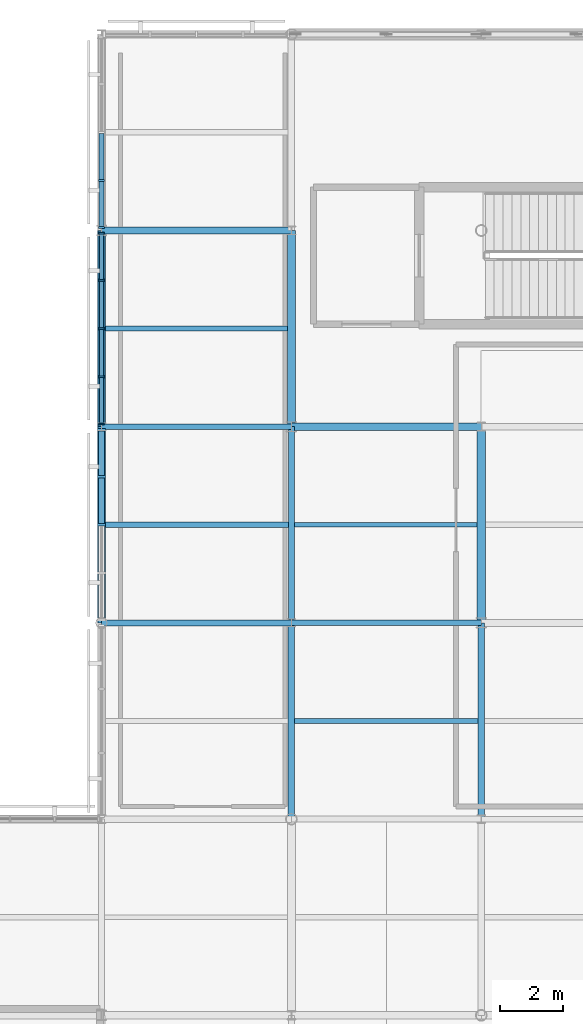
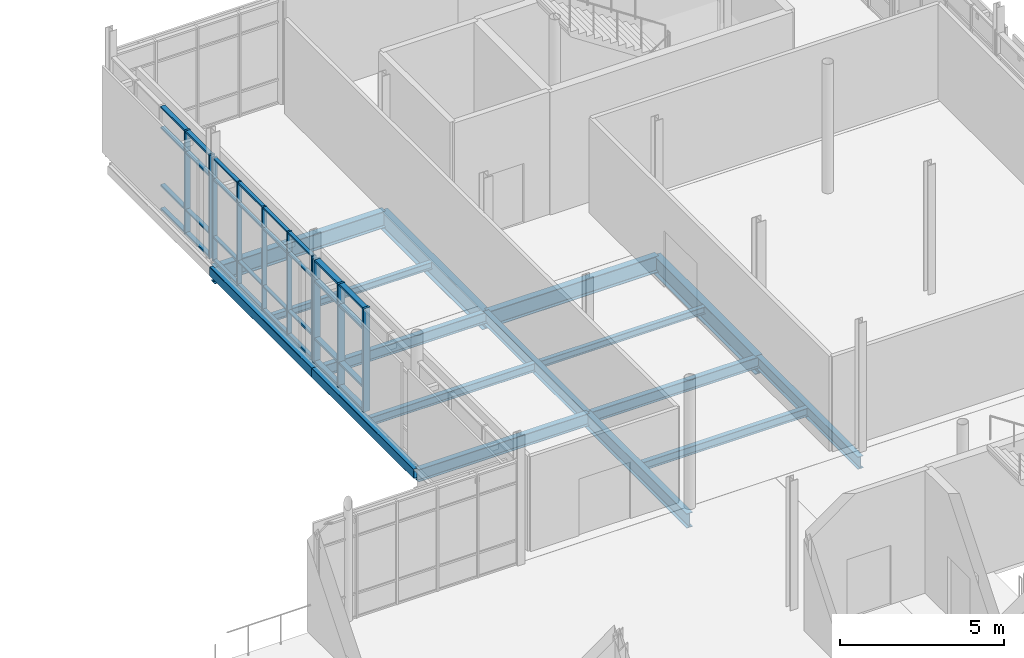
# One storey, part 36 of 84: 42 members, 16 beams, 3 elements without a shape of their own.
"""IFC4 building model written with IfcOpenShell, lengths in metres."""

from ifc_helpers import new_model, si_unit, direction, frame, origin, origin_2d, place, context, subcontext, project, spatial, rectangle, hollow_rectangle, i_section, extrude, material, layer, layer_set, material_profile, profile_set, type_object, element, aggregate, save


model = new_model("IFC4")

# Units and contexts
model_context = context("Model", 3, precision=1e-05, world=origin(), true_north=direction((0.0, 1.0)))
body_context = subcontext(model_context, "Body", "Model", "MODEL_VIEW")
ifc_project = project(units=[si_unit("LENGTHUNIT", "METRE"), si_unit("AREAUNIT", "SQUARE_METRE"), si_unit("VOLUMEUNIT", "CUBIC_METRE"), si_unit("PLANEANGLEUNIT", "RADIAN"), si_unit("MASSUNIT", "GRAM", prefix="KILO")], contexts=[model_context])

# Site, building, storey
site_placement = place(None, origin())
site = spatial("IfcSite", under=ifc_project, at=site_placement, CompositionType="ELEMENT")
building_placement = place(site_placement, origin())
building = spatial("IfcBuilding", under=site, at=building_placement, Name="Mirzam Square Science Centre", CompositionType="ELEMENT")
storey_placement = place(building_placement, frame((0.0, 0.0, 10.800048828125)))
storey = spatial("IfcBuildingStorey", under=building, at=storey_placement, Name="L02", CompositionType="ELEMENT", Elevation=10.800048828125)

# Beams
ifc_material_1 = material(Name="Steel S355", Category="steel")
ifc_material_profile_1 = material_profile(ifc_material_1, i_section(OverallWidth=0.1787109375, OverallDepth=0.409423828125, WebThickness=0.0087890625, FlangeThickness=0.014404296875, FilletRadius=0.01025390625, at=origin_2d()), Name="406x178x67UB")
ifc_profile_set_1 = profile_set([ifc_material_profile_1], Name="Steel S355")
beam_type_1 = type_object("IfcBeamType", Name="BM-UB406", PredefinedType="BEAM", material=ifc_profile_set_1)
for number, where, z_axis, x_axis, name in (
    (1, (120.0, 93.0, -0.454833984375), (1.0, 0.0, 0.0), (0.0, 1.0, 0.0), "L02 girder X21-16"),
    (2, (114.0, 99.199951171875, -0.454833984375), (1.0, 0.0, 0.0), (0.0, 1.0, 0.0), "L02 girder X20-17"),
):
    element("IfcBeam", number, at=place(storey_placement, frame(where, z_axis=z_axis, x_axis=x_axis)), inside=storey, type_object=beam_type_1, Name=name, PredefinedType="BEAM", context=body_context, shape_type="SweptSolid", body=[
        extrude(i_section(OverallWidth=0.1787109375, OverallDepth=0.409423828125, WebThickness=0.0087890625, FlangeThickness=0.014404296875, FilletRadius=0.01025390625, at=origin_2d()), origin(), (0.0, 0.0, 1.0), 6.0),
    ])
ifc_material_profile_2 = material_profile(ifc_material_1, i_section(OverallWidth=0.19140625, OverallDepth=0.4599609375, WebThickness=0.010009765625, FlangeThickness=0.01611328125, FilletRadius=0.01025390625, at=origin_2d()), Name="457x191x82UB")
ifc_profile_set_2 = profile_set([ifc_material_profile_2], Name="Steel S355")
beam_type_2 = type_object("IfcBeamType", Name="BM-UB457", PredefinedType="BEAM", material=ifc_profile_set_2)
beam_1_placement = place(storey_placement, frame((114.0, 93.0, -0.47998046875), z_axis=(1.0, 0.0, 0.0), x_axis=(0.0, 1.0, 0.0)))
element("IfcBeam", 3, at=beam_1_placement, inside=storey, type_object=beam_type_2, Name="L02 girder X20-16", PredefinedType="BEAM", context=body_context, shape_type="SweptSolid", body=[
    extrude(i_section(OverallWidth=0.19140625, OverallDepth=0.4599609375, WebThickness=0.010009765625, FlangeThickness=0.01611328125, FilletRadius=0.01025390625, at=origin_2d()), origin(), (0.0, 0.0, 1.0), 6.0),
])
for number, where, z_axis, x_axis, name in (
    (4, (120.0, 93.0, -0.47998046875), (0.0, 1.0, 0.0), (-1.0, 0.0, 0.0), "L02 girder Y21-16"),
    (5, (126.0, 86.800048828125, -0.47998046875), (0.0, 1.0, 0.0), (-1.0, 0.0, 0.0), "L02 girder Y22-15"),
):
    element("IfcBeam", number, at=place(storey_placement, frame(where, z_axis=z_axis, x_axis=x_axis)), inside=storey, type_object=beam_type_2, Name=name, PredefinedType="BEAM", context=body_context, shape_type="SweptSolid", body=[
        extrude(i_section(OverallWidth=0.19140625, OverallDepth=0.4599609375, WebThickness=0.010009765625, FlangeThickness=0.01611328125, FilletRadius=0.01025390625, at=origin_2d()), origin(), (0.0, 0.0, 1.0), 6.199951171875),
    ])
ifc_material_profile_3 = material_profile(ifc_material_1, i_section(OverallWidth=0.2099609375, OverallDepth=0.53662109375, WebThickness=0.0107421875, FlangeThickness=0.017333984375, FilletRadius=0.0126953125, at=origin_2d()), Name="533x210x101UB")
ifc_profile_set_3 = profile_set([ifc_material_profile_3], Name="Steel S355")
beam_type_3 = type_object("IfcBeamType", Name="BM-UB533", PredefinedType="BEAM", material=ifc_profile_set_3)
beam_2_placement = place(storey_placement, frame((120.0, 86.800048828125, -0.518310546875), z_axis=(0.0, 1.0, 0.0), x_axis=(-1.0, 0.0, 0.0)))
element("IfcBeam", 6, at=beam_2_placement, inside=storey, type_object=beam_type_3, Name="L02 girder Y21-15", PredefinedType="BEAM", context=body_context, shape_type="SweptSolid", body=[
    extrude(i_section(OverallWidth=0.2099609375, OverallDepth=0.53662109375, WebThickness=0.0107421875, FlangeThickness=0.017333984375, FilletRadius=0.0126953125, at=origin_2d()), origin(), (0.0, 0.0, 1.0), 6.199951171875),
])
ifc_material_profile_4 = material_profile(ifc_material_1, i_section(OverallWidth=0.22900390625, OverallDepth=0.6123046875, WebThickness=0.011962890625, FlangeThickness=0.01953125, FilletRadius=0.0126953125, at=origin_2d()), Name="610x229x125UB")
ifc_profile_set_4 = profile_set([ifc_material_profile_4], Name="Steel S355")
beam_type_4 = type_object("IfcBeamType", Name="BM-UB610", PredefinedType="BEAM", material=ifc_profile_set_4)
for number, where, z_axis, x_axis, name in (
    (7, (120.0, 99.199951171875, -0.55615234375), (1.0, 0.0, 0.0), (0.0, 1.0, 0.0), "L02 girder X21-17"),
    (8, (114.0, 105.39990234375, -0.55615234375), (1.0, 0.0, 0.0), (0.0, 1.0, 0.0), "L02 girder X20-18"),
):
    element("IfcBeam", number, at=place(storey_placement, frame(where, z_axis=z_axis, x_axis=x_axis)), inside=storey, type_object=beam_type_4, Name=name, PredefinedType="BEAM", context=body_context, shape_type="SweptSolid", body=[
        extrude(i_section(OverallWidth=0.22900390625, OverallDepth=0.6123046875, WebThickness=0.011962890625, FlangeThickness=0.01953125, FilletRadius=0.0126953125, at=origin_2d()), origin(), (0.0, 0.0, 1.0), 6.0),
    ])
ifc_material_profile_5 = material_profile(ifc_material_1, i_section(OverallWidth=0.25439453125, OverallDepth=0.6875, WebThickness=0.01318359375, FlangeThickness=0.02099609375, FilletRadius=0.01513671875, at=origin_2d()), Name="686x254x152UB")
ifc_profile_set_5 = profile_set([ifc_material_profile_5], Name="Steel S355")
beam_type_5 = type_object("IfcBeamType", Name="BM-UB686", PredefinedType="BEAM", material=ifc_profile_set_5)
for number, where, z_axis, x_axis, name in (
    (9, (120.0, 99.199951171875, -0.59375), (0.0, 1.0, 0.0), (-1.0, 0.0, 0.0), "L02 girder Y21-17"),
    (10, (126.0, 93.0, -0.59375), (0.0, 1.0, 0.0), (-1.0, 0.0, 0.0), "L02 girder Y22-16"),
):
    element("IfcBeam", number, at=place(storey_placement, frame(where, z_axis=z_axis, x_axis=x_axis)), inside=storey, type_object=beam_type_5, Name=name, PredefinedType="BEAM", context=body_context, shape_type="SweptSolid", body=[
        extrude(i_section(OverallWidth=0.25439453125, OverallDepth=0.6875, WebThickness=0.01318359375, FlangeThickness=0.02099609375, FilletRadius=0.01513671875, at=origin_2d()), origin(), (0.0, 0.0, 1.0), 6.199951171875),
    ])

# Curtain wall, members
ifc_material_2 = material(Name="Anodised Aluminium and Low-E Solar Glass", Category="aluminium")
ifc_layer_1 = layer(ifc_material_2, 0.159912109375)
ifc_layer_set_1 = layer_set([ifc_layer_1], Name="CW-COURT-B")
curtain_wall_type_1 = type_object("IfcCurtainWallType", Name="CW-COURT-B", PredefinedType="USERDEFINED", material=ifc_layer_set_1)
curtain_wall_1_placement = place(storey_placement, origin())
curtain_wall_1 = element("IfcCurtainWall", 11, at=curtain_wall_1_placement, inside=storey, type_object=curtain_wall_type_1, Name="L02 unitised curtain wall 119", ObjectType="UNITISED CURTAIN WALL", PredefinedType="USERDEFINED")
ifc_material_3 = material(Name="Anodised Architectural Aluminium 6063-T6", Category="aluminium")
ifc_material_profile_6 = material_profile(ifc_material_3, rectangle(XDim=0.06005859375, YDim=0.159912109375, at=origin_2d()), Name="ALU-MULL-160x60x4")
ifc_profile_set_6 = profile_set([ifc_material_profile_6], Name="Anodised Architectural Aluminium 6063-T6")
member_type_1 = type_object("IfcMemberType", Name="CWM-160", PredefinedType="MULLION", material=ifc_profile_set_6)
member_1_placement = place(storey_placement, frame((114.0, 105.31494140625, 0.0), z_axis=(0.0, 0.0, 1.0), x_axis=(0.0, -1.0, 0.0)))
member_1 = element("IfcMember", 12, at=member_1_placement, type_object=member_type_1, Name="CW-04 mullion 1", PredefinedType="MULLION", context=body_context, shape_type="SweptSolid", body=[
    extrude(rectangle(XDim=0.06005859375, YDim=0.159912109375, at=origin_2d()), origin(), (0.0, 0.0, 1.0), 3.83984375),
])
member_2_placement = place(storey_placement, frame((114.0, 103.822509765625, 0.0), z_axis=(0.0, 0.0, 1.0), x_axis=(0.0, -1.0, 0.0)))
member_2 = element("IfcMember", 13, at=member_2_placement, type_object=member_type_1, Name="CW-04 mullion 2", PredefinedType="MULLION", context=body_context, shape_type="SweptSolid", body=[
    extrude(rectangle(XDim=0.06005859375, YDim=0.159912109375, at=origin_2d()), origin(), (0.0, 0.0, 1.0), 3.83984375),
])
member_3_placement = place(storey_placement, frame((114.0, 102.300048828125, 0.0), z_axis=(0.0, 0.0, 1.0), x_axis=(0.0, -1.0, 0.0)))
member_3 = element("IfcMember", 14, at=member_3_placement, type_object=member_type_1, Name="CW-04 mullion 3", PredefinedType="MULLION", context=body_context, shape_type="SweptSolid", body=[
    extrude(rectangle(XDim=0.06005859375, YDim=0.159912109375, at=origin_2d()), origin(), (0.0, 0.0, 1.0), 3.83984375),
])
member_4_placement = place(storey_placement, frame((114.0, 100.777587890625, 0.0), z_axis=(0.0, 0.0, 1.0), x_axis=(0.0, -1.0, 0.0)))
member_4 = element("IfcMember", 15, at=member_4_placement, type_object=member_type_1, Name="CW-04 mullion 4", PredefinedType="MULLION", context=body_context, shape_type="SweptSolid", body=[
    extrude(rectangle(XDim=0.06005859375, YDim=0.159912109375, at=origin_2d()), origin(), (0.0, 0.0, 1.0), 3.83984375),
])
member_5_placement = place(storey_placement, frame((114.0, 99.284912109375, 0.0), z_axis=(0.0, 0.0, 1.0), x_axis=(0.0, -1.0, 0.0)))
member_5 = element("IfcMember", 16, at=member_5_placement, type_object=member_type_1, Name="CW-04 mullion 5", PredefinedType="MULLION", context=body_context, shape_type="SweptSolid", body=[
    extrude(rectangle(XDim=0.06005859375, YDim=0.159912109375, at=origin_2d()), origin(), (0.0, 0.0, 1.0), 3.83984375),
])

ifc_layer_2 = layer(ifc_material_2, 0.199951171875)
ifc_layer_set_2 = layer_set([ifc_layer_2], Name="CW-EAST-A")
curtain_wall_type_2 = type_object("IfcCurtainWallType", Name="CW-EAST-A", PredefinedType="USERDEFINED", material=ifc_layer_set_2)
curtain_wall_2_placement = place(storey_placement, origin())
curtain_wall_2 = element("IfcCurtainWall", 17, at=curtain_wall_2_placement, inside=storey, type_object=curtain_wall_type_2, Name="L02 unitised curtain wall 121", ObjectType="UNITISED CURTAIN WALL", PredefinedType="USERDEFINED")
ifc_material_profile_7 = material_profile(ifc_material_3, rectangle(XDim=0.06494140625, YDim=0.199951171875, at=origin_2d()), Name="ALU-MULL-200x65x5")
ifc_profile_set_7 = profile_set([ifc_material_profile_7], Name="Anodised Architectural Aluminium 6063-T6")
member_type_2 = type_object("IfcMemberType", Name="CWM-200", PredefinedType="MULLION", material=ifc_profile_set_7)
member_6_placement = place(storey_placement, frame((114.0, 106.9775390625, 0.0), z_axis=(0.0, 0.0, 1.0), x_axis=(0.0, -1.0, 0.0)))
member_6 = element("IfcMember", 18, at=member_6_placement, type_object=member_type_2, Name="CW-05 mullion 4", PredefinedType="MULLION", context=body_context, shape_type="SweptSolid", body=[
    extrude(rectangle(XDim=0.06494140625, YDim=0.199951171875, at=origin_2d()), origin(), (0.0, 0.0, 1.0), 3.83984375),
])
member_7_placement = place(storey_placement, frame((114.0, 105.487548828125, 0.0), z_axis=(0.0, 0.0, 1.0), x_axis=(0.0, -1.0, 0.0)))
member_7 = element("IfcMember", 19, at=member_7_placement, type_object=member_type_2, Name="CW-05 mullion 5", PredefinedType="MULLION", context=body_context, shape_type="SweptSolid", body=[
    extrude(rectangle(XDim=0.06494140625, YDim=0.199951171875, at=origin_2d()), origin(), (0.0, 0.0, 1.0), 3.83984375),
])

ifc_layer_3 = layer(ifc_material_2, 0.159912109375)
ifc_layer_set_3 = layer_set([ifc_layer_3], Name="CW-COURT-A")
curtain_wall_type_3 = type_object("IfcCurtainWallType", Name="CW-COURT-A", PredefinedType="USERDEFINED", material=ifc_layer_set_3)
curtain_wall_3_placement = place(storey_placement, origin())
curtain_wall_3 = element("IfcCurtainWall", 20, at=curtain_wall_3_placement, inside=storey, type_object=curtain_wall_type_3, Name="L02 unitised curtain wall 117", ObjectType="UNITISED CURTAIN WALL", PredefinedType="USERDEFINED")
ifc_material_profile_8 = material_profile(ifc_material_3, rectangle(XDim=0.074951171875, YDim=0.239990234375, at=origin_2d()), Name="ALU-MULL-240x75x5")
ifc_profile_set_8 = profile_set([ifc_material_profile_8], Name="Anodised Architectural Aluminium 6063-T6")
member_type_3 = type_object("IfcMemberType", Name="CWM-240", PredefinedType="MULLION", material=ifc_profile_set_8)
member_8_placement = place(storey_placement, frame((114.0, 99.107421875, 0.0), z_axis=(0.0, 0.0, 1.0), x_axis=(0.0, -1.0, 0.0)))
member_8 = element("IfcMember", 21, at=member_8_placement, type_object=member_type_3, Name="CW-03 mullion 1", PredefinedType="MULLION", context=body_context, shape_type="SweptSolid", body=[
    extrude(rectangle(XDim=0.074951171875, YDim=0.239990234375, at=origin_2d()), origin(), (0.0, 0.0, 1.0), 3.83984375),
])
member_9_placement = place(storey_placement, frame((114.0, 97.62255859375, 0.0), z_axis=(0.0, 0.0, 1.0), x_axis=(0.0, -1.0, 0.0)))
member_9 = element("IfcMember", 22, at=member_9_placement, type_object=member_type_3, Name="CW-03 mullion 2", PredefinedType="MULLION", context=body_context, shape_type="SweptSolid", body=[
    extrude(rectangle(XDim=0.074951171875, YDim=0.239990234375, at=origin_2d()), origin(), (0.0, 0.0, 1.0), 3.83984375),
])
member_10_placement = place(storey_placement, frame((114.0, 96.10009765625, 0.0), z_axis=(0.0, 0.0, 1.0), x_axis=(0.0, -1.0, 0.0)))
member_10 = element("IfcMember", 23, at=member_10_placement, type_object=member_type_3, Name="CW-03 mullion 3", PredefinedType="MULLION", context=body_context, shape_type="SweptSolid", body=[
    extrude(rectangle(XDim=0.074951171875, YDim=0.239990234375, at=origin_2d()), origin(), (0.0, 0.0, 1.0), 3.83984375),
])

# Member
ifc_material_profile_9 = material_profile(ifc_material_3, rectangle(XDim=0.1201171875, YDim=0.06005859375, at=origin_2d()), Name="ALU-TRAN-120x60x4")
ifc_profile_set_9 = profile_set([ifc_material_profile_9], Name="Anodised Architectural Aluminium 6063-T6")
member_type_4 = type_object("IfcMemberType", Name="CWT-120", PredefinedType="USERDEFINED", material=ifc_profile_set_9)
member_11_placement = place(storey_placement, frame((114.0, 105.284912109375, 0.030029296875), z_axis=(0.0, -1.0, 0.0), x_axis=(1.0, 0.0, 0.0)))
member_11 = element("IfcMember", 24, at=member_11_placement, type_object=member_type_4, Name="CW-04 transom 1.1", ObjectType="TRANSOM", PredefinedType="USERDEFINED", context=body_context, shape_type="SweptSolid", body=[
    extrude(rectangle(XDim=0.1201171875, YDim=0.06005859375, at=origin_2d()), origin(), (0.0, 0.0, 1.0), 1.432373046875),
])

member_12_placement = place(storey_placement, frame((114.0, 105.284912109375, 0.89990234375), z_axis=(0.0, -1.0, 0.0), x_axis=(1.0, 0.0, 0.0)))
member_12 = element("IfcMember", 25, at=member_12_placement, type_object=member_type_4, Name="CW-04 transom 1.2", ObjectType="TRANSOM", PredefinedType="USERDEFINED", context=body_context, shape_type="SweptSolid", body=[
    extrude(rectangle(XDim=0.1201171875, YDim=0.06005859375, at=origin_2d()), origin(), (0.0, 0.0, 1.0), 1.432373046875),
])

member_13_placement = place(storey_placement, frame((114.0, 105.284912109375, 3.0400390625), z_axis=(0.0, -1.0, 0.0), x_axis=(1.0, 0.0, 0.0)))
member_13 = element("IfcMember", 26, at=member_13_placement, type_object=member_type_4, Name="CW-04 transom 1.3", ObjectType="TRANSOM", PredefinedType="USERDEFINED", context=body_context, shape_type="SweptSolid", body=[
    extrude(rectangle(XDim=0.1201171875, YDim=0.06005859375, at=origin_2d()), origin(), (0.0, 0.0, 1.0), 1.432373046875),
])

member_14_placement = place(storey_placement, frame((114.0, 105.284912109375, 3.81005859375), z_axis=(0.0, -1.0, 0.0), x_axis=(1.0, 0.0, 0.0)))
member_14 = element("IfcMember", 27, at=member_14_placement, type_object=member_type_4, Name="CW-04 transom 1.4", ObjectType="TRANSOM", PredefinedType="USERDEFINED", context=body_context, shape_type="SweptSolid", body=[
    extrude(rectangle(XDim=0.1201171875, YDim=0.06005859375, at=origin_2d()), origin(), (0.0, 0.0, 1.0), 1.432373046875),
])

member_15_placement = place(storey_placement, frame((114.0, 103.79248046875, 0.030029296875), z_axis=(0.0, -1.0, 0.0), x_axis=(1.0, 0.0, 0.0)))
member_15 = element("IfcMember", 28, at=member_15_placement, type_object=member_type_4, Name="CW-04 transom 2.1", ObjectType="TRANSOM", PredefinedType="USERDEFINED", context=body_context, shape_type="SweptSolid", body=[
    extrude(rectangle(XDim=0.1201171875, YDim=0.06005859375, at=origin_2d()), origin(), (0.0, 0.0, 1.0), 1.46240234375),
])

member_16_placement = place(storey_placement, frame((114.0, 103.79248046875, 0.89990234375), z_axis=(0.0, -1.0, 0.0), x_axis=(1.0, 0.0, 0.0)))
member_16 = element("IfcMember", 29, at=member_16_placement, type_object=member_type_4, Name="CW-04 transom 2.2", ObjectType="TRANSOM", PredefinedType="USERDEFINED", context=body_context, shape_type="SweptSolid", body=[
    extrude(rectangle(XDim=0.1201171875, YDim=0.06005859375, at=origin_2d()), origin(), (0.0, 0.0, 1.0), 1.46240234375),
])

member_17_placement = place(storey_placement, frame((114.0, 103.79248046875, 3.0400390625), z_axis=(0.0, -1.0, 0.0), x_axis=(1.0, 0.0, 0.0)))
member_17 = element("IfcMember", 30, at=member_17_placement, type_object=member_type_4, Name="CW-04 transom 2.3", ObjectType="TRANSOM", PredefinedType="USERDEFINED", context=body_context, shape_type="SweptSolid", body=[
    extrude(rectangle(XDim=0.1201171875, YDim=0.06005859375, at=origin_2d()), origin(), (0.0, 0.0, 1.0), 1.46240234375),
])

member_18_placement = place(storey_placement, frame((114.0, 103.79248046875, 3.81005859375), z_axis=(0.0, -1.0, 0.0), x_axis=(1.0, 0.0, 0.0)))
member_18 = element("IfcMember", 31, at=member_18_placement, type_object=member_type_4, Name="CW-04 transom 2.4", ObjectType="TRANSOM", PredefinedType="USERDEFINED", context=body_context, shape_type="SweptSolid", body=[
    extrude(rectangle(XDim=0.1201171875, YDim=0.06005859375, at=origin_2d()), origin(), (0.0, 0.0, 1.0), 1.46240234375),
])

member_19_placement = place(storey_placement, frame((114.0, 102.27001953125, 0.030029296875), z_axis=(0.0, -1.0, 0.0), x_axis=(1.0, 0.0, 0.0)))
member_19 = element("IfcMember", 32, at=member_19_placement, type_object=member_type_4, Name="CW-04 transom 3.1", ObjectType="TRANSOM", PredefinedType="USERDEFINED", context=body_context, shape_type="SweptSolid", body=[
    extrude(rectangle(XDim=0.1201171875, YDim=0.06005859375, at=origin_2d()), origin(), (0.0, 0.0, 1.0), 1.46240234375),
])

member_20_placement = place(storey_placement, frame((114.0, 102.27001953125, 0.89990234375), z_axis=(0.0, -1.0, 0.0), x_axis=(1.0, 0.0, 0.0)))
member_20 = element("IfcMember", 33, at=member_20_placement, type_object=member_type_4, Name="CW-04 transom 3.2", ObjectType="TRANSOM", PredefinedType="USERDEFINED", context=body_context, shape_type="SweptSolid", body=[
    extrude(rectangle(XDim=0.1201171875, YDim=0.06005859375, at=origin_2d()), origin(), (0.0, 0.0, 1.0), 1.46240234375),
])

member_21_placement = place(storey_placement, frame((114.0, 102.27001953125, 3.0400390625), z_axis=(0.0, -1.0, 0.0), x_axis=(1.0, 0.0, 0.0)))
member_21 = element("IfcMember", 34, at=member_21_placement, type_object=member_type_4, Name="CW-04 transom 3.3", ObjectType="TRANSOM", PredefinedType="USERDEFINED", context=body_context, shape_type="SweptSolid", body=[
    extrude(rectangle(XDim=0.1201171875, YDim=0.06005859375, at=origin_2d()), origin(), (0.0, 0.0, 1.0), 1.46240234375),
])

member_22_placement = place(storey_placement, frame((114.0, 102.27001953125, 3.81005859375), z_axis=(0.0, -1.0, 0.0), x_axis=(1.0, 0.0, 0.0)))
member_22 = element("IfcMember", 35, at=member_22_placement, type_object=member_type_4, Name="CW-04 transom 3.4", ObjectType="TRANSOM", PredefinedType="USERDEFINED", context=body_context, shape_type="SweptSolid", body=[
    extrude(rectangle(XDim=0.1201171875, YDim=0.06005859375, at=origin_2d()), origin(), (0.0, 0.0, 1.0), 1.46240234375),
])

member_23_placement = place(storey_placement, frame((114.0, 100.74755859375, 0.030029296875), z_axis=(0.0, -1.0, 0.0), x_axis=(1.0, 0.0, 0.0)))
member_23 = element("IfcMember", 36, at=member_23_placement, type_object=member_type_4, Name="CW-04 transom 4.1", ObjectType="TRANSOM", PredefinedType="USERDEFINED", context=body_context, shape_type="SweptSolid", body=[
    extrude(rectangle(XDim=0.1201171875, YDim=0.06005859375, at=origin_2d()), origin(), (0.0, 0.0, 1.0), 1.4326171875),
])

member_24_placement = place(storey_placement, frame((114.0, 100.74755859375, 0.89990234375), z_axis=(0.0, -1.0, 0.0), x_axis=(1.0, 0.0, 0.0)))
member_24 = element("IfcMember", 37, at=member_24_placement, type_object=member_type_4, Name="CW-04 transom 4.2", ObjectType="TRANSOM", PredefinedType="USERDEFINED", context=body_context, shape_type="SweptSolid", body=[
    extrude(rectangle(XDim=0.1201171875, YDim=0.06005859375, at=origin_2d()), origin(), (0.0, 0.0, 1.0), 1.4326171875),
])

member_25_placement = place(storey_placement, frame((114.0, 100.74755859375, 3.0400390625), z_axis=(0.0, -1.0, 0.0), x_axis=(1.0, 0.0, 0.0)))
member_25 = element("IfcMember", 38, at=member_25_placement, type_object=member_type_4, Name="CW-04 transom 4.3", ObjectType="TRANSOM", PredefinedType="USERDEFINED", context=body_context, shape_type="SweptSolid", body=[
    extrude(rectangle(XDim=0.1201171875, YDim=0.06005859375, at=origin_2d()), origin(), (0.0, 0.0, 1.0), 1.4326171875),
])

member_26_placement = place(storey_placement, frame((114.0, 100.74755859375, 3.81005859375), z_axis=(0.0, -1.0, 0.0), x_axis=(1.0, 0.0, 0.0)))
member_26 = element("IfcMember", 39, at=member_26_placement, type_object=member_type_4, Name="CW-04 transom 4.4", ObjectType="TRANSOM", PredefinedType="USERDEFINED", context=body_context, shape_type="SweptSolid", body=[
    extrude(rectangle(XDim=0.1201171875, YDim=0.06005859375, at=origin_2d()), origin(), (0.0, 0.0, 1.0), 1.4326171875),
])

aggregate(curtain_wall_1, [member_1, member_2, member_3, member_4, member_5, member_11, member_12, member_13, member_14, member_15, member_16, member_17, member_18, member_19, member_20, member_21, member_22, member_23, member_24, member_25, member_26])

ifc_material_profile_10 = material_profile(ifc_material_3, rectangle(XDim=0.14990234375, YDim=0.06494140625, at=origin_2d()), Name="ALU-TRAN-150x65x4")
ifc_profile_set_10 = profile_set([ifc_material_profile_10], Name="Anodised Architectural Aluminium 6063-T6")
member_type_5 = type_object("IfcMemberType", Name="CWT-150", PredefinedType="USERDEFINED", material=ifc_profile_set_10)
member_27_placement = place(storey_placement, frame((114.0, 108.467529296875, 0.032470703125), z_axis=(0.0, -1.0, 0.0), x_axis=(1.0, 0.0, 0.0)))
member_27 = element("IfcMember", 40, at=member_27_placement, type_object=member_type_5, Name="CW-05 transom 3.1", ObjectType="TRANSOM", PredefinedType="USERDEFINED", context=body_context, shape_type="SweptSolid", body=[
    extrude(rectangle(XDim=0.14990234375, YDim=0.06494140625, at=origin_2d()), origin(), (0.0, 0.0, 1.0), 1.45751953125),
])

member_28_placement = place(storey_placement, frame((114.0, 108.467529296875, 0.89990234375), z_axis=(0.0, -1.0, 0.0), x_axis=(1.0, 0.0, 0.0)))
member_28 = element("IfcMember", 41, at=member_28_placement, type_object=member_type_5, Name="CW-05 transom 3.2", ObjectType="TRANSOM", PredefinedType="USERDEFINED", context=body_context, shape_type="SweptSolid", body=[
    extrude(rectangle(XDim=0.14990234375, YDim=0.06494140625, at=origin_2d()), origin(), (0.0, 0.0, 1.0), 1.45751953125),
])

member_29_placement = place(storey_placement, frame((114.0, 108.467529296875, 3.0400390625), z_axis=(0.0, -1.0, 0.0), x_axis=(1.0, 0.0, 0.0)))
member_29 = element("IfcMember", 42, at=member_29_placement, type_object=member_type_5, Name="CW-05 transom 3.3", ObjectType="TRANSOM", PredefinedType="USERDEFINED", context=body_context, shape_type="SweptSolid", body=[
    extrude(rectangle(XDim=0.14990234375, YDim=0.06494140625, at=origin_2d()), origin(), (0.0, 0.0, 1.0), 1.45751953125),
])

member_30_placement = place(storey_placement, frame((114.0, 108.467529296875, 3.807373046875), z_axis=(0.0, -1.0, 0.0), x_axis=(1.0, 0.0, 0.0)))
member_30 = element("IfcMember", 43, at=member_30_placement, type_object=member_type_5, Name="CW-05 transom 3.4", ObjectType="TRANSOM", PredefinedType="USERDEFINED", context=body_context, shape_type="SweptSolid", body=[
    extrude(rectangle(XDim=0.14990234375, YDim=0.06494140625, at=origin_2d()), origin(), (0.0, 0.0, 1.0), 1.45751953125),
])

member_31_placement = place(storey_placement, frame((114.0, 106.945068359375, 0.032470703125), z_axis=(0.0, -1.0, 0.0), x_axis=(1.0, 0.0, 0.0)))
member_31 = element("IfcMember", 44, at=member_31_placement, type_object=member_type_5, Name="CW-05 transom 4.1", ObjectType="TRANSOM", PredefinedType="USERDEFINED", context=body_context, shape_type="SweptSolid", body=[
    extrude(rectangle(XDim=0.14990234375, YDim=0.06494140625, at=origin_2d()), origin(), (0.0, 0.0, 1.0), 1.425048828125),
])

member_32_placement = place(storey_placement, frame((114.0, 106.945068359375, 0.89990234375), z_axis=(0.0, -1.0, 0.0), x_axis=(1.0, 0.0, 0.0)))
member_32 = element("IfcMember", 45, at=member_32_placement, type_object=member_type_5, Name="CW-05 transom 4.2", ObjectType="TRANSOM", PredefinedType="USERDEFINED", context=body_context, shape_type="SweptSolid", body=[
    extrude(rectangle(XDim=0.14990234375, YDim=0.06494140625, at=origin_2d()), origin(), (0.0, 0.0, 1.0), 1.425048828125),
])

member_33_placement = place(storey_placement, frame((114.0, 106.945068359375, 3.0400390625), z_axis=(0.0, -1.0, 0.0), x_axis=(1.0, 0.0, 0.0)))
member_33 = element("IfcMember", 46, at=member_33_placement, type_object=member_type_5, Name="CW-05 transom 4.3", ObjectType="TRANSOM", PredefinedType="USERDEFINED", context=body_context, shape_type="SweptSolid", body=[
    extrude(rectangle(XDim=0.14990234375, YDim=0.06494140625, at=origin_2d()), origin(), (0.0, 0.0, 1.0), 1.425048828125),
])

member_34_placement = place(storey_placement, frame((114.0, 106.945068359375, 3.807373046875), z_axis=(0.0, -1.0, 0.0), x_axis=(1.0, 0.0, 0.0)))
member_34 = element("IfcMember", 47, at=member_34_placement, type_object=member_type_5, Name="CW-05 transom 4.4", ObjectType="TRANSOM", PredefinedType="USERDEFINED", context=body_context, shape_type="SweptSolid", body=[
    extrude(rectangle(XDim=0.14990234375, YDim=0.06494140625, at=origin_2d()), origin(), (0.0, 0.0, 1.0), 1.425048828125),
])

aggregate(curtain_wall_2, [member_6, member_7, member_27, member_28, member_29, member_30, member_31, member_32, member_33, member_34])

ifc_material_profile_11 = material_profile(ifc_material_3, rectangle(XDim=0.179931640625, YDim=0.074951171875, at=origin_2d()), Name="ALU-TRAN-180x75x5")
ifc_profile_set_11 = profile_set([ifc_material_profile_11], Name="Anodised Architectural Aluminium 6063-T6")
member_type_6 = type_object("IfcMemberType", Name="CWT-180", PredefinedType="USERDEFINED", material=ifc_profile_set_11)
member_35_placement = place(storey_placement, frame((114.0, 99.070068359375, 0.037353515625), z_axis=(0.0, -1.0, 0.0), x_axis=(1.0, 0.0, 0.0)))
member_35 = element("IfcMember", 48, at=member_35_placement, type_object=member_type_6, Name="CW-03 transom 1.1", ObjectType="TRANSOM", PredefinedType="USERDEFINED", context=body_context, shape_type="SweptSolid", body=[
    extrude(rectangle(XDim=0.179931640625, YDim=0.074951171875, at=origin_2d()), origin(), (0.0, 0.0, 1.0), 1.41015625),
])

member_36_placement = place(storey_placement, frame((114.0, 99.070068359375, 0.89990234375), z_axis=(0.0, -1.0, 0.0), x_axis=(1.0, 0.0, 0.0)))
member_36 = element("IfcMember", 49, at=member_36_placement, type_object=member_type_6, Name="CW-03 transom 1.2", ObjectType="TRANSOM", PredefinedType="USERDEFINED", context=body_context, shape_type="SweptSolid", body=[
    extrude(rectangle(XDim=0.179931640625, YDim=0.074951171875, at=origin_2d()), origin(), (0.0, 0.0, 1.0), 1.41015625),
])

member_37_placement = place(storey_placement, frame((114.0, 99.070068359375, 3.0400390625), z_axis=(0.0, -1.0, 0.0), x_axis=(1.0, 0.0, 0.0)))
member_37 = element("IfcMember", 50, at=member_37_placement, type_object=member_type_6, Name="CW-03 transom 1.3", ObjectType="TRANSOM", PredefinedType="USERDEFINED", context=body_context, shape_type="SweptSolid", body=[
    extrude(rectangle(XDim=0.179931640625, YDim=0.074951171875, at=origin_2d()), origin(), (0.0, 0.0, 1.0), 1.41015625),
])

member_38_placement = place(storey_placement, frame((114.0, 99.070068359375, 3.802490234375), z_axis=(0.0, -1.0, 0.0), x_axis=(1.0, 0.0, 0.0)))
member_38 = element("IfcMember", 51, at=member_38_placement, type_object=member_type_6, Name="CW-03 transom 1.4", ObjectType="TRANSOM", PredefinedType="USERDEFINED", context=body_context, shape_type="SweptSolid", body=[
    extrude(rectangle(XDim=0.179931640625, YDim=0.074951171875, at=origin_2d()), origin(), (0.0, 0.0, 1.0), 1.41015625),
])

member_39_placement = place(storey_placement, frame((114.0, 97.5849609375, 0.037353515625), z_axis=(0.0, -1.0, 0.0), x_axis=(1.0, 0.0, 0.0)))
member_39 = element("IfcMember", 52, at=member_39_placement, type_object=member_type_6, Name="CW-03 transom 2.1", ObjectType="TRANSOM", PredefinedType="USERDEFINED", context=body_context, shape_type="SweptSolid", body=[
    extrude(rectangle(XDim=0.179931640625, YDim=0.074951171875, at=origin_2d()), origin(), (0.0, 0.0, 1.0), 1.447509765625),
])

member_40_placement = place(storey_placement, frame((114.0, 97.5849609375, 0.89990234375), z_axis=(0.0, -1.0, 0.0), x_axis=(1.0, 0.0, 0.0)))
member_40 = element("IfcMember", 53, at=member_40_placement, type_object=member_type_6, Name="CW-03 transom 2.2", ObjectType="TRANSOM", PredefinedType="USERDEFINED", context=body_context, shape_type="SweptSolid", body=[
    extrude(rectangle(XDim=0.179931640625, YDim=0.074951171875, at=origin_2d()), origin(), (0.0, 0.0, 1.0), 1.447509765625),
])

member_41_placement = place(storey_placement, frame((114.0, 97.5849609375, 3.0400390625), z_axis=(0.0, -1.0, 0.0), x_axis=(1.0, 0.0, 0.0)))
member_41 = element("IfcMember", 54, at=member_41_placement, type_object=member_type_6, Name="CW-03 transom 2.3", ObjectType="TRANSOM", PredefinedType="USERDEFINED", context=body_context, shape_type="SweptSolid", body=[
    extrude(rectangle(XDim=0.179931640625, YDim=0.074951171875, at=origin_2d()), origin(), (0.0, 0.0, 1.0), 1.447509765625),
])

member_42_placement = place(storey_placement, frame((114.0, 97.5849609375, 3.802490234375), z_axis=(0.0, -1.0, 0.0), x_axis=(1.0, 0.0, 0.0)))
member_42 = element("IfcMember", 55, at=member_42_placement, type_object=member_type_6, Name="CW-03 transom 2.4", ObjectType="TRANSOM", PredefinedType="USERDEFINED", context=body_context, shape_type="SweptSolid", body=[
    extrude(rectangle(XDim=0.179931640625, YDim=0.074951171875, at=origin_2d()), origin(), (0.0, 0.0, 1.0), 1.447509765625),
])

aggregate(curtain_wall_3, [member_8, member_9, member_10, member_35, member_36, member_37, member_38, member_39, member_40, member_41, member_42])

# Beams
ifc_material_profile_12 = material_profile(ifc_material_1, i_section(OverallWidth=0.146484375, OverallDepth=0.256103515625, WebThickness=0.00634765625, FlangeThickness=0.010986328125, FilletRadius=0.007568359375, at=origin_2d()), Name="254x146x37UB")
ifc_profile_set_12 = profile_set([ifc_material_profile_12], Name="Steel S355")
beam_type_6 = type_object("IfcBeamType", Name="JS-UB254", PredefinedType="JOIST", material=ifc_profile_set_12)
beam_3_placement = place(storey_placement, frame((114.125, 102.300048828125, -0.3779296875), z_axis=(1.0, 0.0, 0.0), x_axis=(0.0, 1.0, 0.0)))
element("IfcBeam", 56, at=beam_3_placement, inside=storey, type_object=beam_type_6, Name="L02 composite joist 20-17", PredefinedType="JOIST", context=body_context, shape_type="SweptSolid", body=[
    extrude(i_section(OverallWidth=0.146484375, OverallDepth=0.256103515625, WebThickness=0.00634765625, FlangeThickness=0.010986328125, FilletRadius=0.007568359375, at=origin_2d()), origin(), (0.0, 0.0, 1.0), 5.747802734375),
])
beam_4_placement = place(storey_placement, frame((120.095703125, 96.10009765625, -0.3779296875), z_axis=(1.0, 0.0, 0.0), x_axis=(0.0, 1.0, 0.0)))
element("IfcBeam", 57, at=beam_4_placement, inside=storey, type_object=beam_type_6, Name="L02 composite joist 21-16", PredefinedType="JOIST", context=body_context, shape_type="SweptSolid", body=[
    extrude(i_section(OverallWidth=0.146484375, OverallDepth=0.256103515625, WebThickness=0.00634765625, FlangeThickness=0.010986328125, FilletRadius=0.007568359375, at=origin_2d()), origin(), (0.0, 0.0, 1.0), 5.777099609375),
])
ifc_material_profile_13 = material_profile(ifc_material_1, i_section(OverallWidth=0.165771484375, OverallDepth=0.306640625, WebThickness=0.006591796875, FlangeThickness=0.01171875, FilletRadius=0.0087890625, at=origin_2d()), Name="305x165x46UB")
ifc_profile_set_13 = profile_set([ifc_material_profile_13], Name="Steel S355")
beam_type_7 = type_object("IfcBeamType", Name="JS-UB305", PredefinedType="JOIST", material=ifc_profile_set_13)
beam_5_placement = place(storey_placement, frame((114.125, 96.10009765625, -0.4033203125), z_axis=(1.0, 0.0, 0.0), x_axis=(0.0, 1.0, 0.0)))
element("IfcBeam", 58, at=beam_5_placement, inside=storey, type_object=beam_type_7, Name="L02 composite joist 20-16", PredefinedType="JOIST", context=body_context, shape_type="SweptSolid", body=[
    extrude(i_section(OverallWidth=0.165771484375, OverallDepth=0.306640625, WebThickness=0.006591796875, FlangeThickness=0.01171875, FilletRadius=0.0087890625, at=origin_2d()), origin(), (0.0, 0.0, 1.0), 5.779296875),
])
beam_6_placement = place(storey_placement, frame((120.10498046875, 89.89990234375, -0.4033203125), z_axis=(1.0, 0.0, 0.0), x_axis=(0.0, 1.0, 0.0)))
element("IfcBeam", 59, at=beam_6_placement, inside=storey, type_object=beam_type_7, Name="L02 composite joist 21-15", PredefinedType="JOIST", context=body_context, shape_type="SweptSolid", body=[
    extrude(i_section(OverallWidth=0.165771484375, OverallDepth=0.306640625, WebThickness=0.006591796875, FlangeThickness=0.01171875, FilletRadius=0.0087890625, at=origin_2d()), origin(), (0.0, 0.0, 1.0), 5.79931640625),
])
ifc_material_profile_14 = material_profile(ifc_material_1, hollow_rectangle(XDim=0.25, YDim=0.35009765625, WallThickness=0.012451171875, InnerFilletRadius=0.012451171875, OuterFilletRadius=0.02490234375, at=origin_2d()), Name="350x250x12.5RHS")
ifc_profile_set_14 = profile_set([ifc_material_profile_14], Name="Steel S355")
beam_type_8 = type_object("IfcBeamType", Name="SP-RHS350", PredefinedType="SPANDREL", material=ifc_profile_set_14)
for number, where, z_axis, x_axis, name in (
    (60, (114.0, 93.0, -0.425048828125), (0.0, 1.0, 0.0), (-1.0, 0.0, 0.0), "L02 girder Y20-16"),
    (61, (114.0, 99.199951171875, -0.425048828125), (0.0, 1.0, 0.0), (-1.0, 0.0, 0.0), "L02 girder Y20-17"),
):
    element("IfcBeam", number, at=place(storey_placement, frame(where, z_axis=z_axis, x_axis=x_axis)), inside=storey, type_object=beam_type_8, Name=name, PredefinedType="SPANDREL", context=body_context, shape_type="SweptSolid", body=[
        extrude(hollow_rectangle(XDim=0.25, YDim=0.35009765625, WallThickness=0.012451171875, InnerFilletRadius=0.012451171875, OuterFilletRadius=0.02490234375, at=origin_2d()), origin(), (0.0, 0.0, 1.0), 6.199951171875),
    ])

save(model, "model.ifc")
